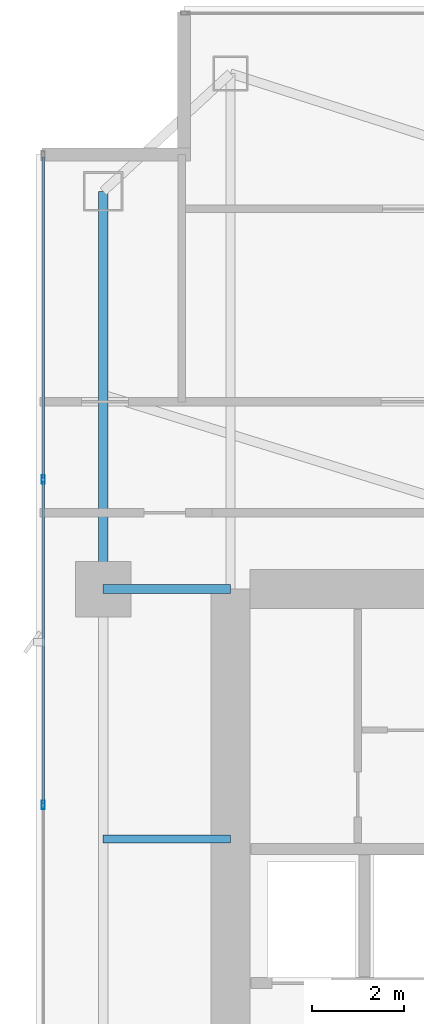
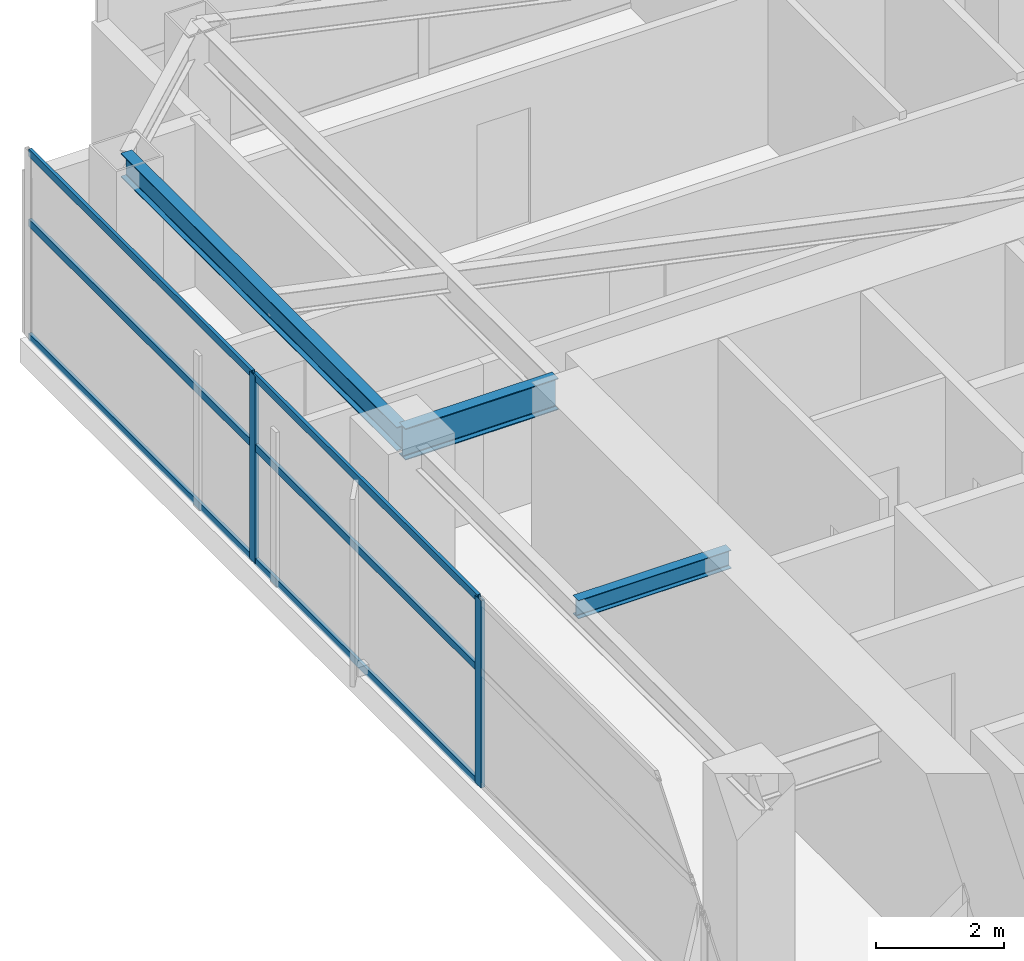
# One storey, part 17 of 30: 8 members, 3 beams, 1 element without a shape of its own.
"""IFC4 building model written with IfcOpenShell, lengths in metres."""

from ifc_helpers import new_model, si_unit, direction, frame, origin, origin_2d, place, context, subcontext, project, spatial, hollow_rectangle, i_section, extrude, material, layer, layer_set, material_profile, profile_set, type_object, element, aggregate, save


model = new_model("IFC4")

# Units and contexts
model_context = context("Model", 3, precision=1e-05, world=origin(), true_north=direction((0.0, 1.0)))
body_context = subcontext(model_context, "Body", "Model", "MODEL_VIEW")
ifc_project = project(units=[si_unit("LENGTHUNIT", "METRE"), si_unit("AREAUNIT", "SQUARE_METRE"), si_unit("VOLUMEUNIT", "CUBIC_METRE"), si_unit("PLANEANGLEUNIT", "RADIAN"), si_unit("MASSUNIT", "GRAM", prefix="KILO")], contexts=[model_context])

# Site, building, storey
site_placement = place(None, origin())
site = spatial("IfcSite", under=ifc_project, at=site_placement, CompositionType="ELEMENT")
building_placement = place(site_placement, origin())
building = spatial("IfcBuilding", under=site, at=building_placement, Name="Calvorn Quay Hotel", CompositionType="ELEMENT")
storey_placement = place(building_placement, frame((0.0, 0.0, 191.300048828125)))
storey = spatial("IfcBuildingStorey", under=building, at=storey_placement, Name="L47", CompositionType="ELEMENT", Elevation=191.300048828125)

# Beams
ifc_material_1 = material(Name="Steel Q355B", Category="steel")
ifc_material_profile_1 = material_profile(ifc_material_1, i_section(OverallWidth=0.199951171875, OverallDepth=0.60009765625, WebThickness=0.010986328125, FlangeThickness=0.01708984375, FilletRadius=0.01806640625, at=origin_2d()), Name="HN600x200x11x17")
ifc_profile_set_1 = profile_set([ifc_material_profile_1], Name="Steel Q355B")
beam_type_1 = type_object("IfcBeamType", Name="BM-GIRD-TYP", PredefinedType="BEAM", material=ifc_profile_set_1)
beam_1_placement = place(storey_placement, frame((1.449951171875, 38.39990234375, 3.239990234375), z_axis=(1.0, 0.0, 0.0), x_axis=(0.0, 1.0, 0.0)))
element("IfcBeam", 1, at=beam_1_placement, inside=storey, type_object=beam_type_1, Name="Beam BG-L47-W3", PredefinedType="BEAM", context=body_context, shape_type="SweptSolid", body=[
    extrude(i_section(OverallWidth=0.199951171875, OverallDepth=0.60009765625, WebThickness=0.010986328125, FlangeThickness=0.01708984375, FilletRadius=0.01806640625, at=origin_2d()), origin(), (0.0, 0.0, 1.0), 2.75),
])
ifc_material_2 = material(Name="Steel Q355B", Category="steel")
ifc_material_profile_2 = material_profile(ifc_material_2, i_section(OverallWidth=0.175048828125, OverallDepth=0.35009765625, WebThickness=0.007080078125, FlangeThickness=0.010986328125, FilletRadius=0.013916015625, at=origin_2d()), Name="HN350x175x7x11")
ifc_profile_set_2 = profile_set([ifc_material_profile_2], Name="Steel Q355B")
beam_type_2 = type_object("IfcBeamType", Name="BM-JOIST-SEC", PredefinedType="JOIST", material=ifc_profile_set_2)
beam_2_placement = place(storey_placement, frame((1.449951171875, 33.0, 3.364990234375), z_axis=(1.0, 0.0, 0.0), x_axis=(0.0, 1.0, 0.0)))
element("IfcBeam", 2, at=beam_2_placement, inside=storey, type_object=beam_type_2, Name="Beam BJ-L47-W4", PredefinedType="JOIST", context=body_context, shape_type="SweptSolid", body=[
    extrude(i_section(OverallWidth=0.175048828125, OverallDepth=0.35009765625, WebThickness=0.007080078125, FlangeThickness=0.010986328125, FilletRadius=0.013916015625, at=origin_2d()), origin(), (0.0, 0.0, 1.0), 2.75),
])
ifc_material_3 = material(Name="Steel Q355B", Category="steel")
ifc_material_profile_3 = material_profile(ifc_material_3, i_section(OverallWidth=0.199951171875, OverallDepth=0.449951171875, WebThickness=0.009033203125, FlangeThickness=0.013916015625, FilletRadius=0.01611328125, at=origin_2d()), Name="HN450x200x9x14")
ifc_profile_set_3 = profile_set([ifc_material_profile_3], Name="Steel Q355B")
beam_type_3 = type_object("IfcBeamType", Name="BM-SPANDREL-Z3", PredefinedType="SPANDREL", material=ifc_profile_set_3)
beam_3_placement = place(storey_placement, frame((1.449951171875, 38.39990234375, 3.31494140625), z_axis=(0.0, 1.0, 0.0), x_axis=(-1.0, 0.0, 0.0)))
element("IfcBeam", 3, at=beam_3_placement, inside=storey, type_object=beam_type_3, Name="Beam BSP-L47-W4", PredefinedType="SPANDREL", context=body_context, shape_type="SweptSolid", body=[
    extrude(i_section(OverallWidth=0.199951171875, OverallDepth=0.449951171875, WebThickness=0.009033203125, FlangeThickness=0.013916015625, FilletRadius=0.01611328125, at=origin_2d()), origin(), (0.0, 0.0, 1.0), 8.60009765625),
])

# Curtain wall, members
ifc_material_4 = material(Name="Champagne Bronze Anodised Aluminium and Low-E Glass", Category="aluminium")
ifc_layer = layer(ifc_material_4, 0.219970703125)
ifc_layer_set = layer_set([ifc_layer], Name="CW-SYS-Z3")
curtain_wall_type = type_object("IfcCurtainWallType", Name="CW-SYS-Z3", PredefinedType="NOTDEFINED", material=ifc_layer_set)
curtain_wall_placement = place(storey_placement, origin())
curtain_wall = element("IfcCurtainWall", 4, at=curtain_wall_placement, inside=storey, type_object=curtain_wall_type, Name="Tower West Curtain Wall (L47)", PredefinedType="NOTDEFINED")
ifc_material_5 = material(Name="Champagne Bronze Anodised Aluminium 6063-T6", Category="aluminium")
ifc_material_profile_4 = material_profile(ifc_material_5, hollow_rectangle(XDim=0.068115234375, YDim=0.18505859375, WallThickness=0.00390625, at=origin_2d()), Name="ALU-M185x68x4")
ifc_profile_set_4 = profile_set([ifc_material_profile_4], Name="Champagne Bronze Anodised Aluminium 6063-T6")
member_type_1 = type_object("IfcMemberType", Name="CW-SYS-Z3-MUL", PredefinedType="MULLION", material=ifc_profile_set_4)
member_1_placement = place(storey_placement, frame((0.14990234375, 33.7333984375, 0.0), z_axis=(0.0, 0.0, 1.0), x_axis=(-1.0, 0.0, 0.0)))
member_1 = element("IfcMember", 5, at=member_1_placement, type_object=member_type_1, Name="CW-L47-W mullion 5", PredefinedType="MULLION", context=body_context, shape_type="SweptSolid", body=[
    extrude(hollow_rectangle(XDim=0.068115234375, YDim=0.18505859375, WallThickness=0.00390625, at=origin_2d()), origin(), (0.0, 0.0, 1.0), 3.56005859375),
])
member_2_placement = place(storey_placement, frame((0.14990234375, 40.7666015625, 0.0), z_axis=(0.0, 0.0, 1.0), x_axis=(-1.0, 0.0, 0.0)))
member_2 = element("IfcMember", 6, at=member_2_placement, type_object=member_type_1, Name="CW-L47-W mullion 6", PredefinedType="MULLION", context=body_context, shape_type="SweptSolid", body=[
    extrude(hollow_rectangle(XDim=0.068115234375, YDim=0.18505859375, WallThickness=0.00390625, at=origin_2d()), origin(), (0.0, 0.0, 1.0), 3.56005859375),
])
ifc_material_6 = material(Name="Champagne Bronze Anodised Aluminium 6063-T6", Category="aluminium")
ifc_material_profile_5 = material_profile(ifc_material_6, hollow_rectangle(XDim=0.05810546875, YDim=0.139892578125, WallThickness=0.003173828125, at=origin_2d()), Name="ALU-T140x58x3.2")
ifc_profile_set_5 = profile_set([ifc_material_profile_5], Name="Champagne Bronze Anodised Aluminium 6063-T6")
member_type_2 = type_object("IfcMemberType", Name="CW-SYS-Z3-TRN", PredefinedType="USERDEFINED", material=ifc_profile_set_5)
member_3_placement = place(storey_placement, frame((0.14990234375, 33.763427734375, 0.030029296875), z_axis=(0.0, 1.0, 0.0), x_axis=(-1.0, 0.0, 0.0)))
member_3 = element("IfcMember", 7, at=member_3_placement, type_object=member_type_2, Name="CW-L47-W transom 5.1", ObjectType="TRANSOM", PredefinedType="USERDEFINED", context=body_context, shape_type="SweptSolid", body=[
    extrude(hollow_rectangle(XDim=0.05810546875, YDim=0.139892578125, WallThickness=0.003173828125, at=origin_2d()), origin(), (0.0, 0.0, 1.0), 6.97314453125),
])
member_4_placement = place(storey_placement, frame((0.14990234375, 33.763427734375, 2.199951171875), z_axis=(0.0, 1.0, 0.0), x_axis=(-1.0, 0.0, 0.0)))
member_4 = element("IfcMember", 8, at=member_4_placement, type_object=member_type_2, Name="CW-L47-W transom 5.2", ObjectType="TRANSOM", PredefinedType="USERDEFINED", context=body_context, shape_type="SweptSolid", body=[
    extrude(hollow_rectangle(XDim=0.05810546875, YDim=0.139892578125, WallThickness=0.003173828125, at=origin_2d()), origin(), (0.0, 0.0, 1.0), 6.97314453125),
])
member_5_placement = place(storey_placement, frame((0.14990234375, 33.763427734375, 3.530029296875), z_axis=(0.0, 1.0, 0.0), x_axis=(-1.0, 0.0, 0.0)))
member_5 = element("IfcMember", 9, at=member_5_placement, type_object=member_type_2, Name="CW-L47-W transom 5.3", ObjectType="TRANSOM", PredefinedType="USERDEFINED", context=body_context, shape_type="SweptSolid", body=[
    extrude(hollow_rectangle(XDim=0.05810546875, YDim=0.139892578125, WallThickness=0.003173828125, at=origin_2d()), origin(), (0.0, 0.0, 1.0), 6.97314453125),
])
member_6_placement = place(storey_placement, frame((0.14990234375, 40.796630859375, 0.030029296875), z_axis=(0.0, 1.0, 0.0), x_axis=(-1.0, 0.0, 0.0)))
member_6 = element("IfcMember", 10, at=member_6_placement, type_object=member_type_2, Name="CW-L47-W transom 6.1", ObjectType="TRANSOM", PredefinedType="USERDEFINED", context=body_context, shape_type="SweptSolid", body=[
    extrude(hollow_rectangle(XDim=0.05810546875, YDim=0.139892578125, WallThickness=0.003173828125, at=origin_2d()), origin(), (0.0, 0.0, 1.0), 6.943359375),
])
member_7_placement = place(storey_placement, frame((0.14990234375, 40.796630859375, 2.199951171875), z_axis=(0.0, 1.0, 0.0), x_axis=(-1.0, 0.0, 0.0)))
member_7 = element("IfcMember", 11, at=member_7_placement, type_object=member_type_2, Name="CW-L47-W transom 6.2", ObjectType="TRANSOM", PredefinedType="USERDEFINED", context=body_context, shape_type="SweptSolid", body=[
    extrude(hollow_rectangle(XDim=0.05810546875, YDim=0.139892578125, WallThickness=0.003173828125, at=origin_2d()), origin(), (0.0, 0.0, 1.0), 6.943359375),
])
member_8_placement = place(storey_placement, frame((0.14990234375, 40.796630859375, 3.530029296875), z_axis=(0.0, 1.0, 0.0), x_axis=(-1.0, 0.0, 0.0)))
member_8 = element("IfcMember", 12, at=member_8_placement, type_object=member_type_2, Name="CW-L47-W transom 6.3", ObjectType="TRANSOM", PredefinedType="USERDEFINED", context=body_context, shape_type="SweptSolid", body=[
    extrude(hollow_rectangle(XDim=0.05810546875, YDim=0.139892578125, WallThickness=0.003173828125, at=origin_2d()), origin(), (0.0, 0.0, 1.0), 6.943359375),
])
aggregate(curtain_wall, [member_1, member_2, member_3, member_4, member_5, member_6, member_7, member_8])

save(model, "model.ifc")
